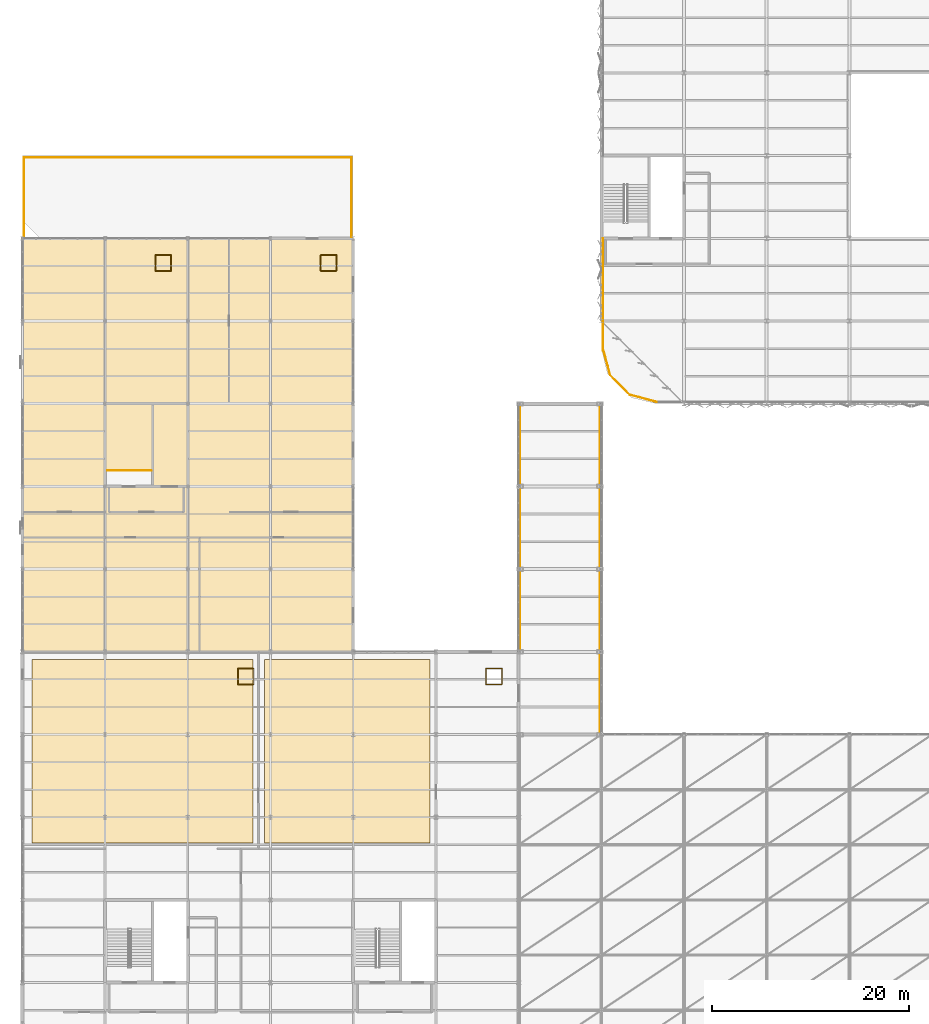
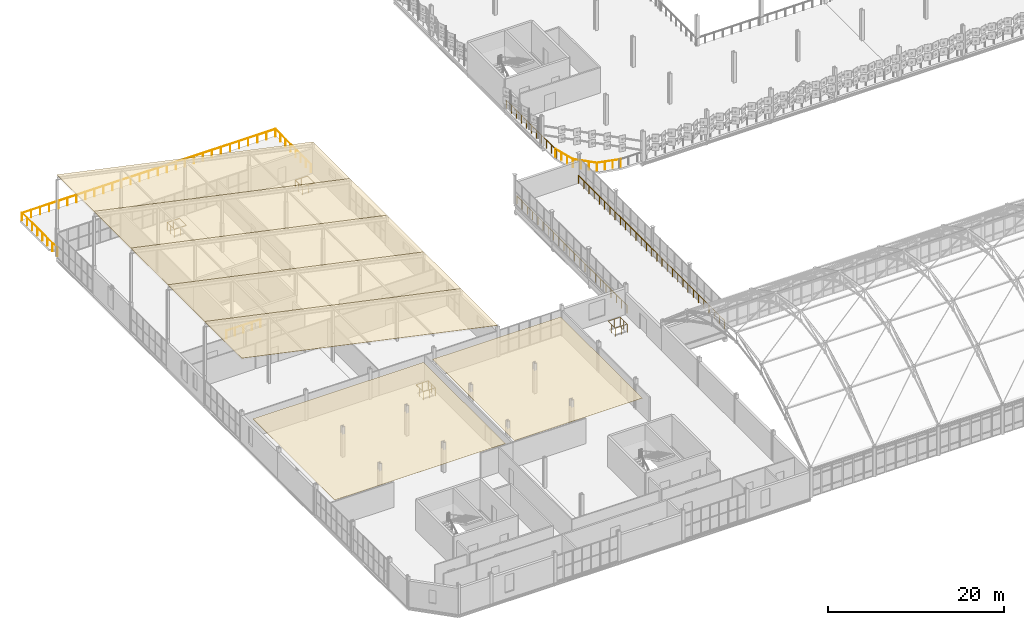
# One storey, part 177 of 184: 10 railings, 7 coverings.
"""IFC4 building model written with IfcOpenShell, lengths in metres."""

from ifc_helpers import new_model, si_unit, direction, frame, origin, origin_2d, place, context, subcontext, project, spatial, polyline, circle, outline, extrude, material, layer, layer_set, type_object, element, save


model = new_model("IFC4")

# Units and contexts
model_context = context("Model", 3, precision=1e-05, world=origin(), true_north=direction((0.0, 1.0)))
body_context = subcontext(model_context, "Body", "Model", "MODEL_VIEW")
ifc_project = project(units=[si_unit("LENGTHUNIT", "METRE"), si_unit("AREAUNIT", "SQUARE_METRE"), si_unit("VOLUMEUNIT", "CUBIC_METRE"), si_unit("PLANEANGLEUNIT", "RADIAN"), si_unit("MASSUNIT", "GRAM", prefix="KILO")], contexts=[model_context])

# Site, building, storey
site_placement = place(None, origin())
site = spatial("IfcSite", under=ifc_project, at=site_placement, CompositionType="ELEMENT")
building_placement = place(site_placement, origin())
building = spatial("IfcBuilding", under=site, at=building_placement, Name="Qalvenar Corner Mobility Hub", CompositionType="ELEMENT")
storey_placement = place(building_placement, frame((0.0, 0.0, 9.0)))
storey = spatial("IfcBuildingStorey", under=building, at=storey_placement, Name="L02", CompositionType="ELEMENT", Elevation=9.0)

# Coverings
ifc_material_1 = material(Name="Perforated Acoustic Mineral Ceiling Board", Category="concrete")
ifc_layer_1 = layer(ifc_material_1, 0.02490234375)
ifc_layer_set_1 = layer_set([ifc_layer_1], Name="Perforated Acoustic Mineral Ceiling Board")
covering_type_1 = type_object("IfcCoveringType", Name="COV-CEIL-AC", PredefinedType="CEILING", material=ifc_layer_set_1)
covering_1_placement = place(storey_placement, frame((0.0, 0.0, 3.14990234375)))
element("IfcCovering", 1, at=covering_1_placement, inside=storey, type_object=covering_type_1, Name="Hub Operations Acoustic Ceiling", PredefinedType="CEILING", context=body_context, shape_type="SweptSolid", body=[
    extrude(outline(polyline([(1.0, 22.60009765625), (23.39990234375, 22.60009765625), (23.39990234375, 41.199951171875), (1.0, 41.199951171875), (1.0, 22.60009765625)])), origin(), (0.0, 0.0, 1.0), 0.025146484375),
])
covering_2_placement = place(storey_placement, frame((0.0, 0.0, 3.14990234375)))
element("IfcCovering", 2, at=covering_2_placement, inside=storey, type_object=covering_type_1, Name="Stakeholder Forum Hall Acoustic Ceiling", PredefinedType="CEILING", context=body_context, shape_type="SweptSolid", body=[
    extrude(outline(polyline([(24.60009765625, 22.60009765625), (41.39990234375, 22.60009765625), (41.39990234375, 41.199951171875), (24.60009765625, 41.199951171875), (24.60009765625, 22.60009765625)])), origin(), (0.0, 0.0, 1.0), 0.025146484375),
])
ifc_material_2 = material(Name="Solar-Reflective Standing-Seam Metal Roofing", Category="aluminium")
ifc_layer_2 = layer(ifc_material_2, 0.044921875)
ifc_layer_set_2 = layer_set([ifc_layer_2], Name="Solar-Reflective Standing-Seam Metal Roofing")
covering_type_2 = type_object("IfcCoveringType", Name="COV-ROOF-MEM", PredefinedType="ROOFING", material=ifc_layer_set_2)
covering_3_placement = place(storey_placement, frame((0.0, 42.0, 11.449951171875), z_axis=(0.209527147912, 0.0, 0.977802829965), x_axis=(0.977802829965, 0.0, -0.209527147912)))
element("IfcCovering", 3, at=covering_3_placement, inside=storey, type_object=covering_type_2, Name="Standing-Seam Roof Covering V5-1", PredefinedType="ROOFING", context=body_context, shape_type="SweptSolid", body=[
    extrude(outline(polyline([(0.0, 0.0), (34.3628558095354, 0.0), (34.3628558095354, 8.399902343749998), (0.0, 8.399902343749998), (0.0, 0.0)])), origin(), (0.0, 0.0, -1.0), 0.044921875),
])
covering_4_placement = place(storey_placement, frame((0.0, 50.39990234375, 11.449951171875), z_axis=(0.209527147912, 0.0, 0.977802829965), x_axis=(0.977802829965, 0.0, -0.209527147912)))
element("IfcCovering", 4, at=covering_4_placement, inside=storey, type_object=covering_type_2, Name="Standing-Seam Roof Covering V5-2", PredefinedType="ROOFING", context=body_context, shape_type="SweptSolid", body=[
    extrude(outline(polyline([(0.0, 0.0), (34.3628558095354, 0.0), (34.3628558095354, 8.400146484375), (0.0, 8.400146484375), (0.0, 0.0)])), origin(), (0.0, 0.0, -1.0), 0.044921875),
])
covering_5_placement = place(storey_placement, frame((0.0, 58.800048828125, 11.449951171875), z_axis=(0.209527147912, 0.0, 0.977802829965), x_axis=(0.977802829965, 0.0, -0.209527147912)))
element("IfcCovering", 5, at=covering_5_placement, inside=storey, type_object=covering_type_2, Name="Standing-Seam Roof Covering V5-3", PredefinedType="ROOFING", context=body_context, shape_type="SweptSolid", body=[
    extrude(outline(polyline([(0.0, 0.0), (34.3628558095354, 0.0), (34.3628558095354, 8.399902343749998), (0.0, 8.399902343749998), (0.0, 0.0)])), origin(), (0.0, 0.0, -1.0), 0.044921875),
])
covering_6_placement = place(storey_placement, frame((0.0, 67.199951171875, 11.449951171875), z_axis=(0.209527147912, 0.0, 0.977802829965), x_axis=(0.977802829965, 0.0, -0.209527147912)))
element("IfcCovering", 6, at=covering_6_placement, inside=storey, type_object=covering_type_2, Name="Standing-Seam Roof Covering V5-4", PredefinedType="ROOFING", context=body_context, shape_type="SweptSolid", body=[
    extrude(outline(polyline([(0.0, 0.0), (34.3628558095354, 0.0), (34.3628558095354, 8.400146484375), (0.0, 8.400146484375), (0.0, 0.0)])), origin(), (0.0, 0.0, -1.0), 0.044921875),
])
covering_7_placement = place(storey_placement, frame((0.0, 75.60009765625, 11.449951171875), z_axis=(0.209527147912, 0.0, 0.977802829965), x_axis=(0.977802829965, 0.0, -0.209527147912)))
element("IfcCovering", 7, at=covering_7_placement, inside=storey, type_object=covering_type_2, Name="Standing-Seam Roof Covering V5-5", PredefinedType="ROOFING", context=body_context, shape_type="SweptSolid", body=[
    extrude(outline(polyline([(0.0, 0.0), (34.3628558095354, 0.0), (34.3628558095354, 8.399902343749998), (0.0, 8.399902343749998), (0.0, 0.0)])), origin(), (0.0, 0.0, -1.0), 0.044921875),
])

# Railings
ifc_material_3 = material(Name="Art Nouveau Bronze-Finished Steel Balustrade", Category="steel")
railing_type_1 = type_object("IfcRailingType", Name="RL-GUARD-110", PredefinedType="GUARDRAIL", material=ifc_material_3)
railing_1_placement = place(storey_placement, frame((50.550048828125, 42.0, 0.0)))
element("IfcRailing", 8, at=railing_1_placement, inside=storey, type_object=railing_type_1, Name="Court Bridge Guardrail West L02", PredefinedType="GUARDRAIL", context=body_context, shape_type="SweptSolid", body=[
    extrude(circle(Radius=0.02392578125, at=origin_2d()), frame((0.0, 0.0, 1.09619140625), z_axis=(0.0, 1.0, 0.0), x_axis=(-1.0, 0.0, 0.0)), (0.0, 0.0, 1.0), 25.0),
    extrude(circle(Radius=0.02099609375, at=origin_2d()), origin(), (0.0, 0.0, 1.0), 1.072021484375),
    extrude(circle(Radius=0.02099609375, at=origin_2d()), frame((0.0, 1.1904296875, 0.0)), (0.0, 0.0, 1.0), 1.072021484375),
    extrude(circle(Radius=0.02099609375, at=origin_2d()), frame((0.0, 2.380859375, 0.0)), (0.0, 0.0, 1.0), 1.072021484375),
    extrude(circle(Radius=0.02099609375, at=origin_2d()), frame((0.0, 3.571533203125, 0.0)), (0.0, 0.0, 1.0), 1.072021484375),
    extrude(circle(Radius=0.02099609375, at=origin_2d()), frame((0.0, 4.761962890625, 0.0)), (0.0, 0.0, 1.0), 1.072021484375),
    extrude(circle(Radius=0.02099609375, at=origin_2d()), frame((0.0, 5.952392578125, 0.0)), (0.0, 0.0, 1.0), 1.072021484375),
    extrude(circle(Radius=0.02099609375, at=origin_2d()), frame((0.0, 7.142822265625, 0.0)), (0.0, 0.0, 1.0), 1.072021484375),
    extrude(circle(Radius=0.02099609375, at=origin_2d()), frame((0.0, 8.333251953125, 0.0)), (0.0, 0.0, 1.0), 1.072021484375),
    extrude(circle(Radius=0.02099609375, at=origin_2d()), frame((0.0, 9.52392578125, 0.0)), (0.0, 0.0, 1.0), 1.072021484375),
    extrude(circle(Radius=0.02099609375, at=origin_2d()), frame((0.0, 10.71435546875, 0.0)), (0.0, 0.0, 1.0), 1.072021484375),
    extrude(circle(Radius=0.02099609375, at=origin_2d()), frame((0.0, 11.90478515625, 0.0)), (0.0, 0.0, 1.0), 1.072021484375),
    extrude(circle(Radius=0.02099609375, at=origin_2d()), frame((0.0, 13.09521484375, 0.0)), (0.0, 0.0, 1.0), 1.072021484375),
    extrude(circle(Radius=0.02099609375, at=origin_2d()), frame((0.0, 14.28564453125, 0.0)), (0.0, 0.0, 1.0), 1.072021484375),
    extrude(circle(Radius=0.02099609375, at=origin_2d()), frame((0.0, 15.47607421875, 0.0)), (0.0, 0.0, 1.0), 1.072021484375),
    extrude(circle(Radius=0.02099609375, at=origin_2d()), frame((0.0, 16.666748046875, 0.0)), (0.0, 0.0, 1.0), 1.072021484375),
    extrude(circle(Radius=0.02099609375, at=origin_2d()), frame((0.0, 17.857177734375, 0.0)), (0.0, 0.0, 1.0), 1.072021484375),
    extrude(circle(Radius=0.02099609375, at=origin_2d()), frame((0.0, 19.047607421875, 0.0)), (0.0, 0.0, 1.0), 1.072021484375),
    extrude(circle(Radius=0.02099609375, at=origin_2d()), frame((0.0, 20.238037109375, 0.0)), (0.0, 0.0, 1.0), 1.072021484375),
    extrude(circle(Radius=0.02099609375, at=origin_2d()), frame((0.0, 21.428466796875, 0.0)), (0.0, 0.0, 1.0), 1.072021484375),
    extrude(circle(Radius=0.02099609375, at=origin_2d()), frame((0.0, 22.619140625, 0.0)), (0.0, 0.0, 1.0), 1.072021484375),
    extrude(circle(Radius=0.02099609375, at=origin_2d()), frame((0.0, 23.8095703125, 0.0)), (0.0, 0.0, 1.0), 1.072021484375),
    extrude(circle(Radius=0.02099609375, at=origin_2d()), frame((0.0, 25.0, 0.0)), (0.0, 0.0, 1.0), 1.072021484375),
])
railing_2_placement = place(storey_placement, frame((58.64990234375, 33.800048828125, 0.0)))
element("IfcRailing", 9, at=railing_2_placement, inside=storey, type_object=railing_type_1, Name="Court Bridge Guardrail East L02", PredefinedType="GUARDRAIL", context=body_context, shape_type="SweptSolid", body=[
    extrude(circle(Radius=0.02392578125, at=origin_2d()), frame((0.0, 0.0, 1.09619140625), z_axis=(0.0, 1.0, 0.0), x_axis=(-1.0, 0.0, 0.0)), (0.0, 0.0, 1.0), 33.199951171875),
    extrude(circle(Radius=0.02099609375, at=origin_2d()), origin(), (0.0, 0.0, 1.0), 1.072021484375),
    extrude(circle(Radius=0.02099609375, at=origin_2d()), frame((0.0, 1.185791015625, 0.0)), (0.0, 0.0, 1.0), 1.072021484375),
    extrude(circle(Radius=0.02099609375, at=origin_2d()), frame((0.0, 2.371337890625, 0.0)), (0.0, 0.0, 1.0), 1.072021484375),
    extrude(circle(Radius=0.02099609375, at=origin_2d()), frame((0.0, 3.55712890625, 0.0)), (0.0, 0.0, 1.0), 1.072021484375),
    extrude(circle(Radius=0.02099609375, at=origin_2d()), frame((0.0, 4.742919921875, 0.0)), (0.0, 0.0, 1.0), 1.072021484375),
    extrude(circle(Radius=0.02099609375, at=origin_2d()), frame((0.0, 5.928466796875, 0.0)), (0.0, 0.0, 1.0), 1.072021484375),
    extrude(circle(Radius=0.02099609375, at=origin_2d()), frame((0.0, 7.1142578125, 0.0)), (0.0, 0.0, 1.0), 1.072021484375),
    extrude(circle(Radius=0.02099609375, at=origin_2d()), frame((0.0, 8.300048828125, 0.0)), (0.0, 0.0, 1.0), 1.072021484375),
    extrude(circle(Radius=0.02099609375, at=origin_2d()), frame((0.0, 9.485595703125, 0.0)), (0.0, 0.0, 1.0), 1.072021484375),
    extrude(circle(Radius=0.02099609375, at=origin_2d()), frame((0.0, 10.67138671875, 0.0)), (0.0, 0.0, 1.0), 1.072021484375),
    extrude(circle(Radius=0.02099609375, at=origin_2d()), frame((0.0, 11.857177734375, 0.0)), (0.0, 0.0, 1.0), 1.072021484375),
    extrude(circle(Radius=0.02099609375, at=origin_2d()), frame((0.0, 13.042724609375, 0.0)), (0.0, 0.0, 1.0), 1.072021484375),
    extrude(circle(Radius=0.02099609375, at=origin_2d()), frame((0.0, 14.228515625, 0.0)), (0.0, 0.0, 1.0), 1.072021484375),
    extrude(circle(Radius=0.02099609375, at=origin_2d()), frame((0.0, 15.414306640625, 0.0)), (0.0, 0.0, 1.0), 1.072021484375),
    extrude(circle(Radius=0.02099609375, at=origin_2d()), frame((0.0, 16.60009765625, 0.0)), (0.0, 0.0, 1.0), 1.072021484375),
    extrude(circle(Radius=0.02099609375, at=origin_2d()), frame((0.0, 17.78564453125, 0.0)), (0.0, 0.0, 1.0), 1.072021484375),
    extrude(circle(Radius=0.02099609375, at=origin_2d()), frame((0.0, 18.971435546875, 0.0)), (0.0, 0.0, 1.0), 1.072021484375),
    extrude(circle(Radius=0.02099609375, at=origin_2d()), frame((0.0, 20.1572265625, 0.0)), (0.0, 0.0, 1.0), 1.072021484375),
    extrude(circle(Radius=0.02099609375, at=origin_2d()), frame((0.0, 21.3427734375, 0.0)), (0.0, 0.0, 1.0), 1.072021484375),
    extrude(circle(Radius=0.02099609375, at=origin_2d()), frame((0.0, 22.528564453125, 0.0)), (0.0, 0.0, 1.0), 1.072021484375),
    extrude(circle(Radius=0.02099609375, at=origin_2d()), frame((0.0, 23.71435546875, 0.0)), (0.0, 0.0, 1.0), 1.072021484375),
    extrude(circle(Radius=0.02099609375, at=origin_2d()), frame((0.0, 24.89990234375, 0.0)), (0.0, 0.0, 1.0), 1.072021484375),
    extrude(circle(Radius=0.02099609375, at=origin_2d()), frame((0.0, 26.085693359375, 0.0)), (0.0, 0.0, 1.0), 1.072021484375),
    extrude(circle(Radius=0.02099609375, at=origin_2d()), frame((0.0, 27.271484375, 0.0)), (0.0, 0.0, 1.0), 1.072021484375),
    extrude(circle(Radius=0.02099609375, at=origin_2d()), frame((0.0, 28.45703125, 0.0)), (0.0, 0.0, 1.0), 1.072021484375),
    extrude(circle(Radius=0.02099609375, at=origin_2d()), frame((0.0, 29.642822265625, 0.0)), (0.0, 0.0, 1.0), 1.072021484375),
    extrude(circle(Radius=0.02099609375, at=origin_2d()), frame((0.0, 30.82861328125, 0.0)), (0.0, 0.0, 1.0), 1.072021484375),
    extrude(circle(Radius=0.02099609375, at=origin_2d()), frame((0.0, 32.01416015625, 0.0)), (0.0, 0.0, 1.0), 1.072021484375),
    extrude(circle(Radius=0.02099609375, at=origin_2d()), frame((0.0, 33.199951171875, 0.0)), (0.0, 0.0, 1.0), 1.072021484375),
])
railing_3_placement = place(storey_placement, frame((0.179931640625, 84.14990234375, 0.0)))
element("IfcRailing", 10, at=railing_3_placement, inside=storey, type_object=railing_type_1, Name="Terrace Perimeter Guardrail TER-V5-L02", PredefinedType="GUARDRAIL", context=body_context, shape_type="SweptSolid", body=[
    extrude(circle(Radius=0.02392578125, at=origin_2d()), frame((0.0, 0.0, 1.09619140625), z_axis=(0.0, 1.0, 0.0), x_axis=(-1.0, 0.0, 0.0)), (0.0, 0.0, 1.0), 8.070068359375),
    extrude(circle(Radius=0.02392578125, at=origin_2d()), frame((0.0, 8.070068359375, 1.09619140625), z_axis=(1.0, 0.0, 0.0), x_axis=(0.0, 1.0, 0.0)), (0.0, 0.0, 1.0), 33.239990234375),
    extrude(circle(Radius=0.02392578125, at=origin_2d()), frame((33.239990234375, 8.070068359375, 1.09619140625), z_axis=(0.0, -1.0, 0.0), x_axis=(1.0, 0.0, 0.0)), (0.0, 0.0, 1.0), 8.070068359375),
    extrude(circle(Radius=0.02099609375, at=origin_2d()), origin(), (0.0, 0.0, 1.0), 1.072021484375),
    extrude(circle(Radius=0.02099609375, at=origin_2d()), frame((0.0, 1.15283203125, 0.0)), (0.0, 0.0, 1.0), 1.072021484375),
    extrude(circle(Radius=0.02099609375, at=origin_2d()), frame((0.0, 2.3056640625, 0.0)), (0.0, 0.0, 1.0), 1.072021484375),
    extrude(circle(Radius=0.02099609375, at=origin_2d()), frame((0.0, 3.45849609375, 0.0)), (0.0, 0.0, 1.0), 1.072021484375),
    extrude(circle(Radius=0.02099609375, at=origin_2d()), frame((0.0, 4.611572265625, 0.0)), (0.0, 0.0, 1.0), 1.072021484375),
    extrude(circle(Radius=0.02099609375, at=origin_2d()), frame((0.0, 5.764404296875, 0.0)), (0.0, 0.0, 1.0), 1.072021484375),
    extrude(circle(Radius=0.02099609375, at=origin_2d()), frame((0.0, 6.917236328125, 0.0)), (0.0, 0.0, 1.0), 1.072021484375),
    extrude(circle(Radius=0.02099609375, at=origin_2d()), frame((0.0, 8.070068359375, 0.0)), (0.0, 0.0, 1.0), 1.072021484375),
    extrude(circle(Radius=0.02099609375, at=origin_2d()), frame((1.187255859375, 8.070068359375, 0.0)), (0.0, 0.0, 1.0), 1.072021484375),
    extrude(circle(Radius=0.02099609375, at=origin_2d()), frame((2.374267578125, 8.070068359375, 0.0)), (0.0, 0.0, 1.0), 1.072021484375),
    extrude(circle(Radius=0.02099609375, at=origin_2d()), frame((3.5615234375, 8.070068359375, 0.0)), (0.0, 0.0, 1.0), 1.072021484375),
    extrude(circle(Radius=0.02099609375, at=origin_2d()), frame((4.74853515625, 8.070068359375, 0.0)), (0.0, 0.0, 1.0), 1.072021484375),
    extrude(circle(Radius=0.02099609375, at=origin_2d()), frame((5.935791015625, 8.070068359375, 0.0)), (0.0, 0.0, 1.0), 1.072021484375),
    extrude(circle(Radius=0.02099609375, at=origin_2d()), frame((7.122802734375, 8.070068359375, 0.0)), (0.0, 0.0, 1.0), 1.072021484375),
    extrude(circle(Radius=0.02099609375, at=origin_2d()), frame((8.31005859375, 8.070068359375, 0.0)), (0.0, 0.0, 1.0), 1.072021484375),
    extrude(circle(Radius=0.02099609375, at=origin_2d()), frame((9.4970703125, 8.070068359375, 0.0)), (0.0, 0.0, 1.0), 1.072021484375),
    extrude(circle(Radius=0.02099609375, at=origin_2d()), frame((10.684326171875, 8.070068359375, 0.0)), (0.0, 0.0, 1.0), 1.072021484375),
    extrude(circle(Radius=0.02099609375, at=origin_2d()), frame((11.871337890625, 8.070068359375, 0.0)), (0.0, 0.0, 1.0), 1.072021484375),
    extrude(circle(Radius=0.02099609375, at=origin_2d()), frame((13.05859375, 8.070068359375, 0.0)), (0.0, 0.0, 1.0), 1.072021484375),
    extrude(circle(Radius=0.02099609375, at=origin_2d()), frame((14.24560546875, 8.070068359375, 0.0)), (0.0, 0.0, 1.0), 1.072021484375),
    extrude(circle(Radius=0.02099609375, at=origin_2d()), frame((15.432861328125, 8.070068359375, 0.0)), (0.0, 0.0, 1.0), 1.072021484375),
    extrude(circle(Radius=0.02099609375, at=origin_2d()), frame((16.6201171875, 8.070068359375, 0.0)), (0.0, 0.0, 1.0), 1.072021484375),
    extrude(circle(Radius=0.02099609375, at=origin_2d()), frame((17.80712890625, 8.070068359375, 0.0)), (0.0, 0.0, 1.0), 1.072021484375),
    extrude(circle(Radius=0.02099609375, at=origin_2d()), frame((18.994384765625, 8.070068359375, 0.0)), (0.0, 0.0, 1.0), 1.072021484375),
    extrude(circle(Radius=0.02099609375, at=origin_2d()), frame((20.181396484375, 8.070068359375, 0.0)), (0.0, 0.0, 1.0), 1.072021484375),
    extrude(circle(Radius=0.02099609375, at=origin_2d()), frame((21.36865234375, 8.070068359375, 0.0)), (0.0, 0.0, 1.0), 1.072021484375),
    extrude(circle(Radius=0.02099609375, at=origin_2d()), frame((22.5556640625, 8.070068359375, 0.0)), (0.0, 0.0, 1.0), 1.072021484375),
    extrude(circle(Radius=0.02099609375, at=origin_2d()), frame((23.742919921875, 8.070068359375, 0.0)), (0.0, 0.0, 1.0), 1.072021484375),
    extrude(circle(Radius=0.02099609375, at=origin_2d()), frame((24.929931640625, 8.070068359375, 0.0)), (0.0, 0.0, 1.0), 1.072021484375),
    extrude(circle(Radius=0.02099609375, at=origin_2d()), frame((26.1171875, 8.070068359375, 0.0)), (0.0, 0.0, 1.0), 1.072021484375),
    extrude(circle(Radius=0.02099609375, at=origin_2d()), frame((27.30419921875, 8.070068359375, 0.0)), (0.0, 0.0, 1.0), 1.072021484375),
    extrude(circle(Radius=0.02099609375, at=origin_2d()), frame((28.491455078125, 8.070068359375, 0.0)), (0.0, 0.0, 1.0), 1.072021484375),
    extrude(circle(Radius=0.02099609375, at=origin_2d()), frame((29.678466796875, 8.070068359375, 0.0)), (0.0, 0.0, 1.0), 1.072021484375),
    extrude(circle(Radius=0.02099609375, at=origin_2d()), frame((30.86572265625, 8.070068359375, 0.0)), (0.0, 0.0, 1.0), 1.072021484375),
    extrude(circle(Radius=0.02099609375, at=origin_2d()), frame((32.052734375, 8.070068359375, 0.0)), (0.0, 0.0, 1.0), 1.072021484375),
    extrude(circle(Radius=0.02099609375, at=origin_2d()), frame((33.239990234375, 8.070068359375, 0.0)), (0.0, 0.0, 1.0), 1.072021484375),
    extrude(circle(Radius=0.02099609375, at=origin_2d()), frame((33.239990234375, 6.917236328125, 0.0)), (0.0, 0.0, 1.0), 1.072021484375),
    extrude(circle(Radius=0.02099609375, at=origin_2d()), frame((33.239990234375, 5.764404296875, 0.0)), (0.0, 0.0, 1.0), 1.072021484375),
    extrude(circle(Radius=0.02099609375, at=origin_2d()), frame((33.239990234375, 4.611572265625, 0.0)), (0.0, 0.0, 1.0), 1.072021484375),
    extrude(circle(Radius=0.02099609375, at=origin_2d()), frame((33.239990234375, 3.45849609375, 0.0)), (0.0, 0.0, 1.0), 1.072021484375),
    extrude(circle(Radius=0.02099609375, at=origin_2d()), frame((33.239990234375, 2.3056640625, 0.0)), (0.0, 0.0, 1.0), 1.072021484375),
    extrude(circle(Radius=0.02099609375, at=origin_2d()), frame((33.239990234375, 1.15283203125, 0.0)), (0.0, 0.0, 1.0), 1.072021484375),
    extrude(circle(Radius=0.02099609375, at=origin_2d()), frame((33.239990234375, 0.0, 0.0)), (0.0, 0.0, 1.0), 1.072021484375),
])
railing_4_placement = place(storey_placement, frame((8.64990234375, 60.39990234375, 0.0)))
element("IfcRailing", 11, at=railing_4_placement, inside=storey, type_object=railing_type_1, Name="Top Stair Landing Guard C5-L02", PredefinedType="GUARDRAIL", context=body_context, shape_type="SweptSolid", body=[
    extrude(circle(Radius=0.02392578125, at=origin_2d()), frame((0.0, 0.0, 1.09619140625), z_axis=(1.0, 0.0, 0.0), x_axis=(0.0, 1.0, 0.0)), (0.0, 0.0, 1.0), 4.4501953125),
    extrude(circle(Radius=0.02099609375, at=origin_2d()), origin(), (0.0, 0.0, 1.0), 1.072021484375),
    extrude(circle(Radius=0.02099609375, at=origin_2d()), frame((1.112548828125, 0.0, 0.0)), (0.0, 0.0, 1.0), 1.072021484375),
    extrude(circle(Radius=0.02099609375, at=origin_2d()), frame((2.22509765625, 0.0, 0.0)), (0.0, 0.0, 1.0), 1.072021484375),
    extrude(circle(Radius=0.02099609375, at=origin_2d()), frame((3.337646484375, 0.0, 0.0)), (0.0, 0.0, 1.0), 1.072021484375),
    extrude(circle(Radius=0.02099609375, at=origin_2d()), frame((4.4501953125, 0.0, 0.0)), (0.0, 0.0, 1.0), 1.072021484375),
])
ifc_material_4 = material(Name="Galvanised Steel Deck Edge Barrier", Category="steel")
railing_type_2 = type_object("IfcRailingType", Name="RL-GUARD-115", PredefinedType="GUARDRAIL", material=ifc_material_4)
railing_5_placement = place(storey_placement, frame((21.89990234375, 38.699951171875, 0.0)))
element("IfcRailing", 12, at=railing_5_placement, inside=storey, type_object=railing_type_2, Name="Riser Opening Guard V3-A-L02", PredefinedType="GUARDRAIL", context=body_context, shape_type="SweptSolid", body=[
    extrude(circle(Radius=0.02392578125, at=origin_2d()), frame((0.0, 0.0, 1.1259765625), z_axis=(1.0, 0.0, 0.0), x_axis=(0.0, 1.0, 0.0)), (0.0, 0.0, 1.0), 1.60009765625),
    extrude(circle(Radius=0.02392578125, at=origin_2d()), frame((1.60009765625, 0.0, 1.1259765625), z_axis=(0.0, 1.0, 0.0), x_axis=(-1.0, 0.0, 0.0)), (0.0, 0.0, 1.0), 1.60009765625),
    extrude(circle(Radius=0.02392578125, at=origin_2d()), frame((1.60009765625, 1.60009765625, 1.1259765625), z_axis=(-1.0, 0.0, 0.0), x_axis=(0.0, -1.0, 0.0)), (0.0, 0.0, 1.0), 1.60009765625),
    extrude(circle(Radius=0.02392578125, at=origin_2d()), frame((0.0, 1.60009765625, 1.1259765625), z_axis=(0.0, -1.0, 0.0), x_axis=(1.0, 0.0, 0.0)), (0.0, 0.0, 1.0), 1.60009765625),
    extrude(circle(Radius=0.02099609375, at=origin_2d()), origin(), (0.0, 0.0, 1.0), 1.101806640625),
    extrude(circle(Radius=0.02099609375, at=origin_2d()), frame((0.800048828125, 0.0, 0.0)), (0.0, 0.0, 1.0), 1.101806640625),
    extrude(circle(Radius=0.02099609375, at=origin_2d()), frame((1.60009765625, 0.0, 0.0)), (0.0, 0.0, 1.0), 1.101806640625),
    extrude(circle(Radius=0.02099609375, at=origin_2d()), frame((1.60009765625, 0.800048828125, 0.0)), (0.0, 0.0, 1.0), 1.101806640625),
    extrude(circle(Radius=0.02099609375, at=origin_2d()), frame((1.60009765625, 1.60009765625, 0.0)), (0.0, 0.0, 1.0), 1.101806640625),
    extrude(circle(Radius=0.02099609375, at=origin_2d()), frame((0.800048828125, 1.60009765625, 0.0)), (0.0, 0.0, 1.0), 1.101806640625),
    extrude(circle(Radius=0.02099609375, at=origin_2d()), frame((0.0, 1.60009765625, 0.0)), (0.0, 0.0, 1.0), 1.101806640625),
    extrude(circle(Radius=0.02099609375, at=origin_2d()), frame((0.0, 0.800048828125, 0.0)), (0.0, 0.0, 1.0), 1.101806640625),
])
railing_6_placement = place(storey_placement, frame((47.10009765625, 38.699951171875, 0.0)))
element("IfcRailing", 13, at=railing_6_placement, inside=storey, type_object=railing_type_2, Name="Riser Opening Guard V3-B-L02", PredefinedType="GUARDRAIL", context=body_context, shape_type="SweptSolid", body=[
    extrude(circle(Radius=0.02392578125, at=origin_2d()), frame((0.0, 0.0, 1.1259765625), z_axis=(1.0, 0.0, 0.0), x_axis=(0.0, 1.0, 0.0)), (0.0, 0.0, 1.0), 1.599853515625),
    extrude(circle(Radius=0.02392578125, at=origin_2d()), frame((1.599853515625, 0.0, 1.1259765625), z_axis=(0.0, 1.0, 0.0), x_axis=(-1.0, 0.0, 0.0)), (0.0, 0.0, 1.0), 1.60009765625),
    extrude(circle(Radius=0.02392578125, at=origin_2d()), frame((1.599853515625, 1.60009765625, 1.1259765625), z_axis=(-1.0, 0.0, 0.0), x_axis=(0.0, -1.0, 0.0)), (0.0, 0.0, 1.0), 1.599853515625),
    extrude(circle(Radius=0.02392578125, at=origin_2d()), frame((0.0, 1.60009765625, 1.1259765625), z_axis=(0.0, -1.0, 0.0), x_axis=(1.0, 0.0, 0.0)), (0.0, 0.0, 1.0), 1.60009765625),
    extrude(circle(Radius=0.02099609375, at=origin_2d()), origin(), (0.0, 0.0, 1.0), 1.101806640625),
    extrude(circle(Radius=0.02099609375, at=origin_2d()), frame((0.7998046875, 0.0, 0.0)), (0.0, 0.0, 1.0), 1.101806640625),
    extrude(circle(Radius=0.02099609375, at=origin_2d()), frame((1.599853515625, 0.0, 0.0)), (0.0, 0.0, 1.0), 1.101806640625),
    extrude(circle(Radius=0.02099609375, at=origin_2d()), frame((1.599853515625, 0.800048828125, 0.0)), (0.0, 0.0, 1.0), 1.101806640625),
    extrude(circle(Radius=0.02099609375, at=origin_2d()), frame((1.599853515625, 1.60009765625, 0.0)), (0.0, 0.0, 1.0), 1.101806640625),
    extrude(circle(Radius=0.02099609375, at=origin_2d()), frame((0.7998046875, 1.60009765625, 0.0)), (0.0, 0.0, 1.0), 1.101806640625),
    extrude(circle(Radius=0.02099609375, at=origin_2d()), frame((0.0, 1.60009765625, 0.0)), (0.0, 0.0, 1.0), 1.101806640625),
    extrude(circle(Radius=0.02099609375, at=origin_2d()), frame((0.0, 0.800048828125, 0.0)), (0.0, 0.0, 1.0), 1.101806640625),
])
railing_7_placement = place(storey_placement, frame((13.5, 80.699951171875, 0.0)))
element("IfcRailing", 14, at=railing_7_placement, inside=storey, type_object=railing_type_2, Name="Riser Opening Guard V5-A-L02", PredefinedType="GUARDRAIL", context=body_context, shape_type="SweptSolid", body=[
    extrude(circle(Radius=0.02392578125, at=origin_2d()), frame((0.0, 0.0, 1.1259765625), z_axis=(1.0, 0.0, 0.0), x_axis=(0.0, 1.0, 0.0)), (0.0, 0.0, 1.0), 1.60009765625),
    extrude(circle(Radius=0.02392578125, at=origin_2d()), frame((1.60009765625, 0.0, 1.1259765625), z_axis=(0.0, 1.0, 0.0), x_axis=(-1.0, 0.0, 0.0)), (0.0, 0.0, 1.0), 1.60009765625),
    extrude(circle(Radius=0.02392578125, at=origin_2d()), frame((1.60009765625, 1.60009765625, 1.1259765625), z_axis=(-1.0, 0.0, 0.0), x_axis=(0.0, -1.0, 0.0)), (0.0, 0.0, 1.0), 1.60009765625),
    extrude(circle(Radius=0.02392578125, at=origin_2d()), frame((0.0, 1.60009765625, 1.1259765625), z_axis=(0.0, -1.0, 0.0), x_axis=(1.0, 0.0, 0.0)), (0.0, 0.0, 1.0), 1.60009765625),
    extrude(circle(Radius=0.02099609375, at=origin_2d()), origin(), (0.0, 0.0, 1.0), 1.101806640625),
    extrude(circle(Radius=0.02099609375, at=origin_2d()), frame((0.800048828125, 0.0, 0.0)), (0.0, 0.0, 1.0), 1.101806640625),
    extrude(circle(Radius=0.02099609375, at=origin_2d()), frame((1.60009765625, 0.0, 0.0)), (0.0, 0.0, 1.0), 1.101806640625),
    extrude(circle(Radius=0.02099609375, at=origin_2d()), frame((1.60009765625, 0.800048828125, 0.0)), (0.0, 0.0, 1.0), 1.101806640625),
    extrude(circle(Radius=0.02099609375, at=origin_2d()), frame((1.60009765625, 1.60009765625, 0.0)), (0.0, 0.0, 1.0), 1.101806640625),
    extrude(circle(Radius=0.02099609375, at=origin_2d()), frame((0.800048828125, 1.60009765625, 0.0)), (0.0, 0.0, 1.0), 1.101806640625),
    extrude(circle(Radius=0.02099609375, at=origin_2d()), frame((0.0, 1.60009765625, 0.0)), (0.0, 0.0, 1.0), 1.101806640625),
    extrude(circle(Radius=0.02099609375, at=origin_2d()), frame((0.0, 0.800048828125, 0.0)), (0.0, 0.0, 1.0), 1.101806640625),
])
railing_8_placement = place(storey_placement, frame((30.300048828125, 80.699951171875, 0.0)))
element("IfcRailing", 15, at=railing_8_placement, inside=storey, type_object=railing_type_2, Name="Riser Opening Guard V5-B-L02", PredefinedType="GUARDRAIL", context=body_context, shape_type="SweptSolid", body=[
    extrude(circle(Radius=0.02392578125, at=origin_2d()), frame((0.0, 0.0, 1.1259765625), z_axis=(1.0, 0.0, 0.0), x_axis=(0.0, 1.0, 0.0)), (0.0, 0.0, 1.0), 1.599853515625),
    extrude(circle(Radius=0.02392578125, at=origin_2d()), frame((1.599853515625, 0.0, 1.1259765625), z_axis=(0.0, 1.0, 0.0), x_axis=(-1.0, 0.0, 0.0)), (0.0, 0.0, 1.0), 1.60009765625),
    extrude(circle(Radius=0.02392578125, at=origin_2d()), frame((1.599853515625, 1.60009765625, 1.1259765625), z_axis=(-1.0, 0.0, 0.0), x_axis=(0.0, -1.0, 0.0)), (0.0, 0.0, 1.0), 1.599853515625),
    extrude(circle(Radius=0.02392578125, at=origin_2d()), frame((0.0, 1.60009765625, 1.1259765625), z_axis=(0.0, -1.0, 0.0), x_axis=(1.0, 0.0, 0.0)), (0.0, 0.0, 1.0), 1.60009765625),
    extrude(circle(Radius=0.02099609375, at=origin_2d()), origin(), (0.0, 0.0, 1.0), 1.101806640625),
    extrude(circle(Radius=0.02099609375, at=origin_2d()), frame((0.7998046875, 0.0, 0.0)), (0.0, 0.0, 1.0), 1.101806640625),
    extrude(circle(Radius=0.02099609375, at=origin_2d()), frame((1.599853515625, 0.0, 0.0)), (0.0, 0.0, 1.0), 1.101806640625),
    extrude(circle(Radius=0.02099609375, at=origin_2d()), frame((1.599853515625, 0.800048828125, 0.0)), (0.0, 0.0, 1.0), 1.101806640625),
    extrude(circle(Radius=0.02099609375, at=origin_2d()), frame((1.599853515625, 1.60009765625, 0.0)), (0.0, 0.0, 1.0), 1.101806640625),
    extrude(circle(Radius=0.02099609375, at=origin_2d()), frame((0.7998046875, 1.60009765625, 0.0)), (0.0, 0.0, 1.0), 1.101806640625),
    extrude(circle(Radius=0.02099609375, at=origin_2d()), frame((0.0, 1.60009765625, 0.0)), (0.0, 0.0, 1.0), 1.101806640625),
    extrude(circle(Radius=0.02099609375, at=origin_2d()), frame((0.0, 0.800048828125, 0.0)), (0.0, 0.0, 1.0), 1.101806640625),
])
railing_9_placement = place(storey_placement, frame((58.97998046875, 84.0, 0.0)))
element("IfcRailing", 16, at=railing_9_placement, inside=storey, type_object=railing_type_2, Name="Parking Deck West-South Barrier L02", PredefinedType="GUARDRAIL", context=body_context, shape_type="SweptSolid", body=[
    extrude(circle(Radius=0.02392578125, at=origin_2d()), frame((0.0, 0.0, 1.1259765625), z_axis=(0.0, -1.0, 0.0), x_axis=(1.0, 0.0, 0.0)), (0.0, 0.0, 1.0), 11.39990234375),
    extrude(circle(Radius=0.02099609375, at=origin_2d()), origin(), (0.0, 0.0, 1.0), 1.101806640625),
    extrude(circle(Radius=0.02099609375, at=origin_2d()), frame((0.0, -1.139892578125, 0.0)), (0.0, 0.0, 1.0), 1.101806640625),
    extrude(circle(Radius=0.02099609375, at=origin_2d()), frame((0.0, -2.280029296875, 0.0)), (0.0, 0.0, 1.0), 1.101806640625),
    extrude(circle(Radius=0.02099609375, at=origin_2d()), frame((0.0, -3.419921875, 0.0)), (0.0, 0.0, 1.0), 1.101806640625),
    extrude(circle(Radius=0.02099609375, at=origin_2d()), frame((0.0, -4.56005859375, 0.0)), (0.0, 0.0, 1.0), 1.101806640625),
    extrude(circle(Radius=0.02099609375, at=origin_2d()), frame((0.0, -5.699951171875, 0.0)), (0.0, 0.0, 1.0), 1.101806640625),
    extrude(circle(Radius=0.02099609375, at=origin_2d()), frame((0.0, -6.83984375, 0.0)), (0.0, 0.0, 1.0), 1.101806640625),
    extrude(circle(Radius=0.02099609375, at=origin_2d()), frame((0.0, -7.97998046875, 0.0)), (0.0, 0.0, 1.0), 1.101806640625),
    extrude(circle(Radius=0.02099609375, at=origin_2d()), frame((0.0, -9.119873046875, 0.0)), (0.0, 0.0, 1.0), 1.101806640625),
    extrude(circle(Radius=0.02099609375, at=origin_2d()), frame((0.0, -10.260009765625, 0.0)), (0.0, 0.0, 1.0), 1.101806640625),
    extrude(circle(Radius=0.02099609375, at=origin_2d()), frame((0.0, -11.39990234375, 0.0)), (0.0, 0.0, 1.0), 1.101806640625),
])
railing_10_placement = place(storey_placement, frame((58.97998046875, 72.800048828125, 0.0)))
element("IfcRailing", 17, at=railing_10_placement, inside=storey, type_object=railing_type_2, Name="Rounded Corner Barrier L02-SW", PredefinedType="GUARDRAIL", context=body_context, shape_type="SweptSolid", body=[
    extrude(circle(Radius=0.02392578125, at=origin_2d()), frame((0.0, 0.0, 1.1259765625), z_axis=(0.258799880931, -0.965930961109, 0.0), x_axis=(0.965930961109, 0.258799880931, 0.0)), (0.0, 0.0, 1.0), 2.8056640625),
    extrude(circle(Radius=0.02392578125, at=origin_2d()), frame((0.72607421875, -2.7099609375, 1.1259765625), z_axis=(0.707106781187, -0.707106781187, 0.0), x_axis=(0.707106781187, 0.707106781187, 0.0)), (0.0, 0.0, 1.0), 2.8056640625),
    extrude(circle(Radius=0.02392578125, at=origin_2d()), frame((2.7099609375, -4.69384765625, 1.1259765625), z_axis=(0.965909204481, -0.25888107057, 0.0), x_axis=(0.25888107057, 0.965909204481, 0.0)), (0.0, 0.0, 1.0), 2.8056640625),
    extrude(circle(Radius=0.02099609375, at=origin_2d()), origin(), (0.0, 0.0, 1.0), 1.101806640625),
    extrude(circle(Radius=0.02099609375, at=origin_2d()), frame((0.241943359375, -0.9033203125, 0.0)), (0.0, 0.0, 1.0), 1.101806640625),
    extrude(circle(Radius=0.02099609375, at=origin_2d()), frame((0.484130859375, -1.806640625, 0.0)), (0.0, 0.0, 1.0), 1.101806640625),
    extrude(circle(Radius=0.02099609375, at=origin_2d()), frame((0.72607421875, -2.7099609375, 0.0)), (0.0, 0.0, 1.0), 1.101806640625),
    extrude(circle(Radius=0.02099609375, at=origin_2d()), frame((1.387451171875, -3.371337890625, 0.0)), (0.0, 0.0, 1.0), 1.101806640625),
    extrude(circle(Radius=0.02099609375, at=origin_2d()), frame((2.048583984375, -4.032470703125, 0.0)), (0.0, 0.0, 1.0), 1.101806640625),
    extrude(circle(Radius=0.02099609375, at=origin_2d()), frame((2.7099609375, -4.69384765625, 0.0)), (0.0, 0.0, 1.0), 1.101806640625),
    extrude(circle(Radius=0.02099609375, at=origin_2d()), frame((3.61328125, -4.93603515625, 0.0)), (0.0, 0.0, 1.0), 1.101806640625),
    extrude(circle(Radius=0.02099609375, at=origin_2d()), frame((4.5166015625, -5.177978515625, 0.0)), (0.0, 0.0, 1.0), 1.101806640625),
    extrude(circle(Radius=0.02099609375, at=origin_2d()), frame((5.419921875, -5.420166015625, 0.0)), (0.0, 0.0, 1.0), 1.101806640625),
])

save(model, "model.ifc")
